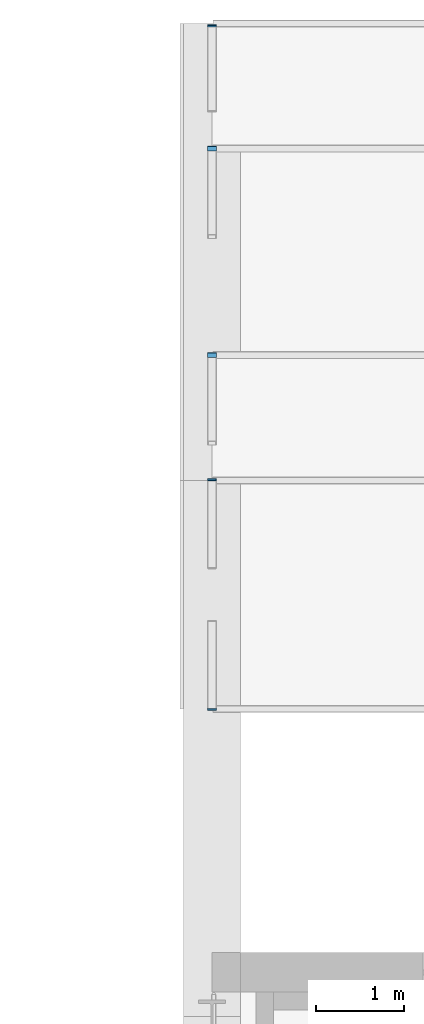
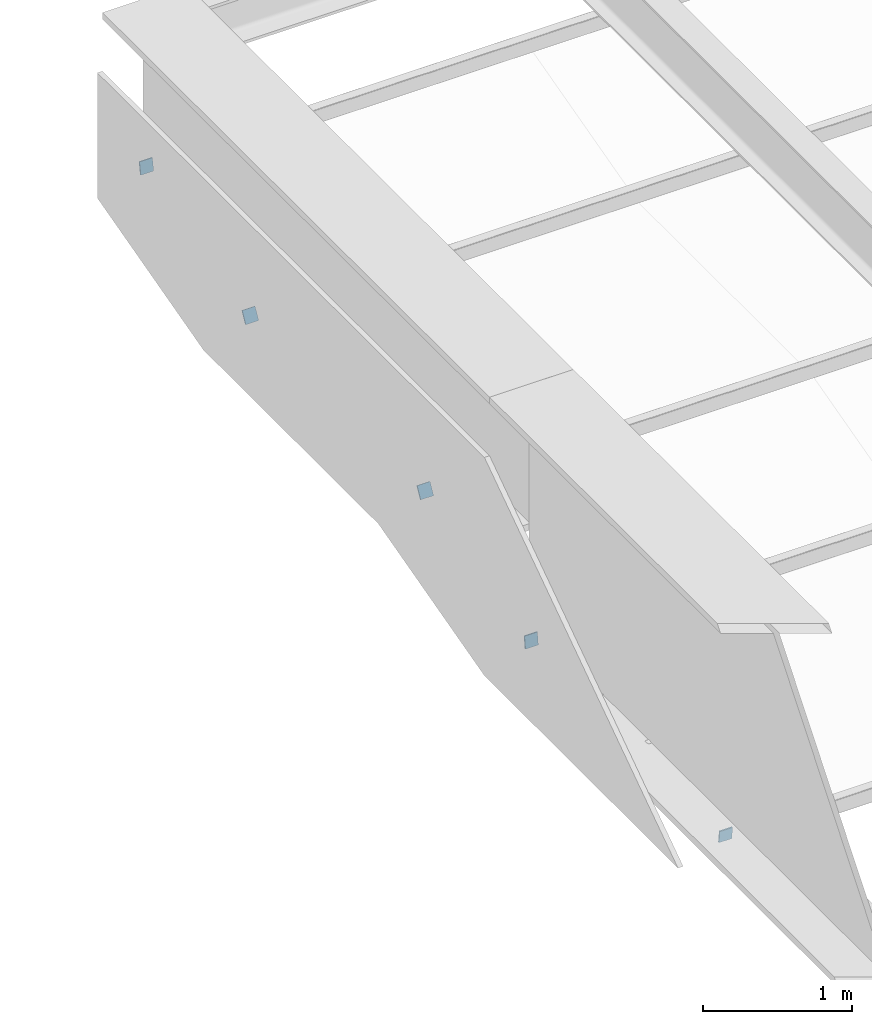
# One storey, part 120 of 153: 5 discrete accessories.
"""IFC4 building model written with IfcOpenShell, lengths in metres."""

from ifc_helpers import new_model, si_unit, direction, frame, origin, origin_2d, place, context, subcontext, project, spatial, rectangle, extrude, material, material_profile, profile_set, type_object, element, save


model = new_model("IFC4")

# Units and contexts
model_context = context("Model", 3, precision=1e-05, world=origin(), true_north=direction((0.0, 1.0)))
body_context = subcontext(model_context, "Body", "Model", "MODEL_VIEW")
ifc_project = project(units=[si_unit("LENGTHUNIT", "METRE"), si_unit("AREAUNIT", "SQUARE_METRE"), si_unit("VOLUMEUNIT", "CUBIC_METRE"), si_unit("PLANEANGLEUNIT", "RADIAN"), si_unit("MASSUNIT", "GRAM", prefix="KILO")], contexts=[model_context])

# Site, building, storey
site_placement = place(None, origin())
site = spatial("IfcSite", under=ifc_project, at=site_placement, CompositionType="ELEMENT")
building_placement = place(site_placement, origin())
building = spatial("IfcBuilding", under=site, at=building_placement, Name="Kallimachos Central Library", CompositionType="ELEMENT")
storey_placement = place(building_placement, frame((0.0, 0.0, 5.39990234375)))
storey = spatial("IfcBuildingStorey", under=building, at=storey_placement, Name="L01", CompositionType="ELEMENT", Elevation=5.39990234375)

# Discrete accessories
ifc_material = material(Name="Steel S355J2", Category="steel")
ifc_material_profile = material_profile(ifc_material, rectangle(XDim=0.10009765625, YDim=0.10009765625, at=origin_2d()), Name="End cap plate 10, 100x100")
ifc_profile_set = profile_set([ifc_material_profile], Name="Steel S355J2")
discrete_accessory_type = type_object("IfcDiscreteAccessoryType", Name="End cap plate 10, 100x100", PredefinedType="BRACKET", material=ifc_profile_set)
for number, where, z_axis, x_axis, name in (
    (1, (65.5, 121.77978515625, 2.94140625), (0.0, -0.985030467156, 0.172380331752), (1.0, 0.0, 0.0), "End cap plate"),
    (2, (65.5, 120.3837890625, 2.562255859375), (0.0, -0.874157276122, 0.485642931179), (1.0, 0.0, 0.0), "End cap plate"),
    (3, (65.5, 118.03369140625, 2.55126953125), (0.0, -0.874157276122, 0.485642931179), (1.0, 0.0, 0.0), "End cap plate"),
):
    element("IfcDiscreteAccessory", number, at=place(storey_placement, frame(where, z_axis=z_axis, x_axis=x_axis)), inside=storey, type_object=discrete_accessory_type, Name=name, PredefinedType="BRACKET", context=body_context, shape_type="SweptSolid", body=[
        extrude(rectangle(XDim=0.10009765625, YDim=0.10009765625, at=origin_2d()), origin(), (0.0, 0.0, 1.0), 0.010009765625),
    ])
discrete_accessory_1_placement = place(storey_placement, frame((65.5, 116.60986328125, 2.189453125), z_axis=(0.0, -0.992277876714, 0.124034734589), x_axis=(1.0, 0.0, 0.0)))
element("IfcDiscreteAccessory", 4, at=discrete_accessory_1_placement, inside=storey, type_object=discrete_accessory_type, Name="End cap plate", PredefinedType="BRACKET", context=body_context, shape_type="SweptSolid", body=[
    extrude(rectangle(XDim=0.10009765625, YDim=0.10009765625, at=origin_2d()), origin(), (0.0, 0.0, 1.0), 0.009765625),
])
discrete_accessory_2_placement = place(storey_placement, frame((65.5, 113.989990234375, 2.178466796875), z_axis=(0.0, 0.992645877551, 0.121054375311), x_axis=(-1.0, 0.0, 0.0)))
element("IfcDiscreteAccessory", 5, at=discrete_accessory_2_placement, inside=storey, type_object=discrete_accessory_type, Name="End cap plate", PredefinedType="BRACKET", context=body_context, shape_type="SweptSolid", body=[
    extrude(rectangle(XDim=0.10009765625, YDim=0.10009765625, at=origin_2d()), origin(), (0.0, 0.0, 1.0), 0.010009765625),
])

save(model, "model.ifc")
